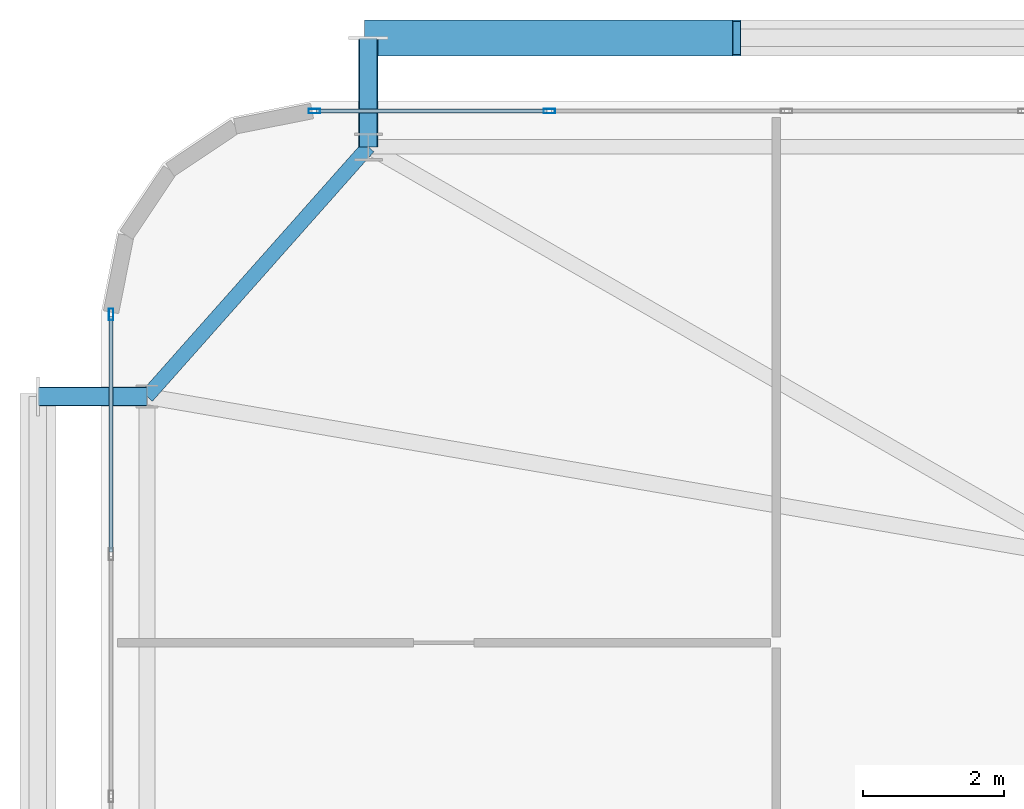
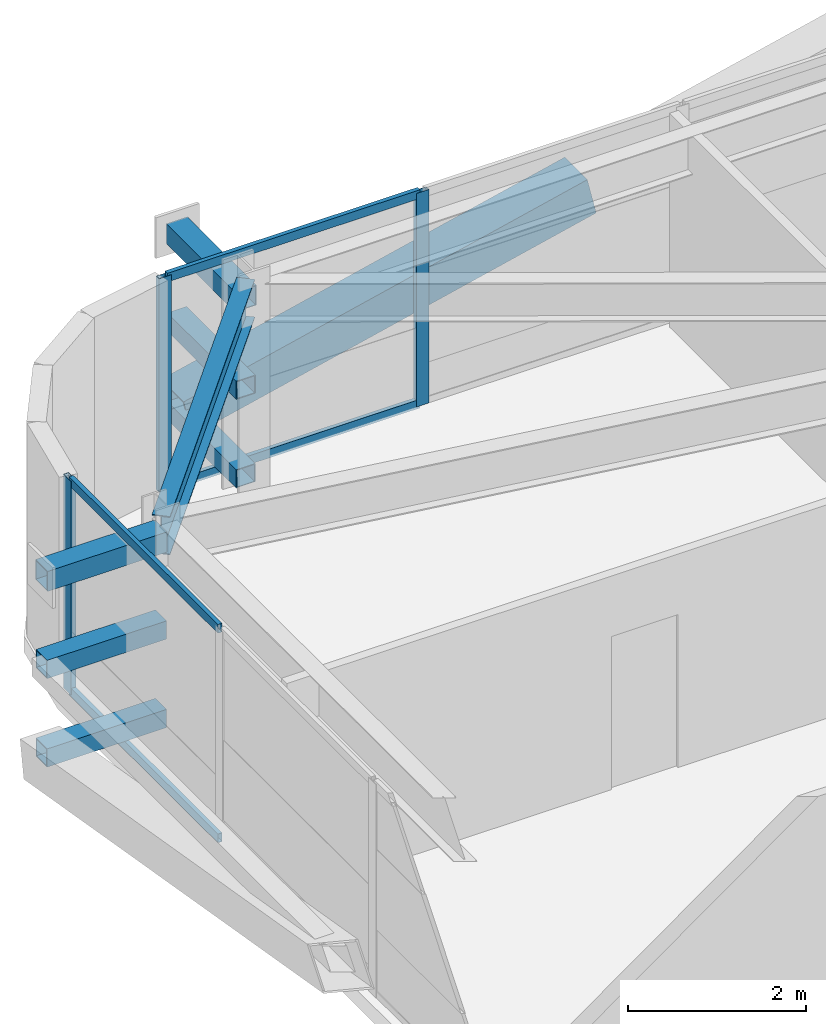
# One storey, part 33 of 58: 14 members, 1 beam, 2 elements without a shape of their own.
"""IFC4 building model written with IfcOpenShell, lengths in metres."""

from ifc_helpers import new_model, si_unit, direction, frame, origin, origin_2d, place, context, subcontext, project, spatial, hollow_rectangle, i_section, extrude, source, transform, mapped, material, layer, layer_set, material_profile, profile_set, type_object, element, aggregate, save


model = new_model("IFC4")

# Units and contexts
model_context = context("Model", 3, precision=1e-05, world=origin(), true_north=direction((0.0, 1.0)))
body_context = subcontext(model_context, "Body", "Model", "MODEL_VIEW")
ifc_project = project(units=[si_unit("LENGTHUNIT", "METRE"), si_unit("AREAUNIT", "SQUARE_METRE"), si_unit("VOLUMEUNIT", "CUBIC_METRE"), si_unit("PLANEANGLEUNIT", "RADIAN"), si_unit("MASSUNIT", "GRAM", prefix="KILO")], contexts=[model_context])

# Site, building, storey
site_placement = place(None, origin())
site = spatial("IfcSite", under=ifc_project, at=site_placement, CompositionType="ELEMENT")
building_placement = place(site_placement, origin())
building = spatial("IfcBuilding", under=site, at=building_placement, Name="Taldren Reach Tower", CompositionType="ELEMENT")
storey_placement = place(building_placement, frame((0.0, 0.0, 35.699951171875)))
storey = spatial("IfcBuildingStorey", under=building, at=storey_placement, Name="L10", CompositionType="ELEMENT", Elevation=35.699951171875)

# Beam
ifc_material_1 = material(Name="Steel Gr 350 (350PLUS)", Category="steel")
ifc_material_profile_1 = material_profile(ifc_material_1, i_section(OverallWidth=0.208984375, OverallDepth=0.528076171875, WebThickness=0.009521484375, FlangeThickness=0.01318359375, at=origin_2d()), Name="530UB82.0")
ifc_profile_set_1 = profile_set([ifc_material_profile_1], Name="Steel Gr 350 (350PLUS)")
beam_type = type_object("IfcBeamType", Name="SP-UB530B", PredefinedType="SPANDREL", material=ifc_profile_set_1)
shared_shape_1 = source(origin(), body_context, "Body", "SweptSolid", [
    extrude(i_section(OverallWidth=0.208984375, OverallDepth=0.528076171875, WebThickness=0.009521484375, FlangeThickness=0.01318359375, at=origin_2d()), origin(), (0.0, 0.0, 1.0), 4.74609375),
])
beam_placement = place(storey_placement, frame((8.800048828125, 37.85009765625, 2.666015625), z_axis=(-0.663721843779, -0.747979487747, 0.0), x_axis=(0.747979487747, -0.663721843779, 0.0)))
element("IfcBeam", 1, at=beam_placement, inside=storey, type_object=beam_type, Name="Perimeter spandrel B1 N1-W3 L10", PredefinedType="SPANDREL", context=body_context, shape_type="MappedRepresentation", body=[
    mapped(shared_shape_1, transform((0.0, 0.0, 0.0), scale=1.0)),
])

# Members
ifc_material_2 = material(Name="Steel Gr 450 (C450L0)", Category="steel")
ifc_material_profile_2 = material_profile(ifc_material_2, hollow_rectangle(XDim=0.27490234375, YDim=0.27490234375, WallThickness=0.00927734375, at=origin_2d()), Name="275x275x9.3SHS")
ifc_profile_set_2 = profile_set([ifc_material_profile_2], Name="Steel Gr 450 (C450L0)")
member_type_1 = type_object("IfcMemberType", Name="MB-TIE273", PredefinedType="STRUT", material=ifc_profile_set_2)
shared_shape_2 = source(origin(), body_context, "Body", "SweptSolid", [
    extrude(hollow_rectangle(XDim=0.27490234375, YDim=0.27490234375, WallThickness=0.00927734375, at=origin_2d()), origin(), (0.0, 0.0, 1.0), 1.5498046875),
])
for number, where, z_axis, x_axis, name in (
    (2, (8.800048828125, 37.85009765625, 2.650146484375), (0.0, 1.0, 0.0), (-1.0, 0.0, 0.0), "Exoskeleton diaphragm tie strut B1-N1 L10"),
    (3, (5.64990234375, 34.300048828125, 2.650146484375), (-1.0, 0.0, 0.0), (0.0, -1.0, 0.0), "Exoskeleton diaphragm tie strut B1-W3 L10"),
):
    element("IfcMember", number, at=place(storey_placement, frame(where, z_axis=z_axis, x_axis=x_axis)), inside=storey, type_object=member_type_1, Name=name, PredefinedType="STRUT", context=body_context, shape_type="MappedRepresentation", body=[
        mapped(shared_shape_2, transform((0.0, 0.0, 0.0), scale=1.0)),
    ])
ifc_material_profile_3 = material_profile(ifc_material_2, hollow_rectangle(XDim=0.510009765625, YDim=0.510009765625, WallThickness=0.02001953125, at=origin_2d()), Name="510x510x20.0SHS")
ifc_profile_set_3 = profile_set([ifc_material_profile_3], Name="Steel Gr 450 (C450L0)")
member_type_2 = type_object("IfcMemberType", Name="MB-EXO508", PredefinedType="BRACE", material=ifc_profile_set_3)
shared_shape_3 = source(origin(), body_context, "Body", "SweptSolid", [
    extrude(hollow_rectangle(XDim=0.510009765625, YDim=0.510009765625, WallThickness=0.02001953125, at=origin_2d()), origin(), (0.0, 0.0, 1.0), 5.37890625),
])
member_1_placement = place(storey_placement, frame((8.800048828125, 39.39990234375, 0.219970703125), z_axis=(0.97415197996, 0.0, 0.225893603143), x_axis=(0.0, 1.0, 0.0)))
element("IfcMember", 4, at=member_1_placement, inside=storey, type_object=member_type_2, Name="Exoskeleton Diagrid Brace B1-N1 L10", PredefinedType="BRACE", context=body_context, shape_type="MappedRepresentation", body=[
    mapped(shared_shape_3, transform((0.0, 0.0, 0.0), scale=1.0)),
])
ifc_material_3 = material(Name="Steel Gr 350 (C350L0)", Category="steel")
ifc_material_profile_4 = material_profile(ifc_material_3, hollow_rectangle(XDim=0.25, YDim=0.25, WallThickness=0.010009765625, at=origin_2d()), Name="250x250x10.0SHS")
ifc_profile_set_4 = profile_set([ifc_material_profile_4], Name="Steel Gr 350 (C350L0)")
member_type_3 = type_object("IfcMemberType", Name="MB-POST250", PredefinedType="POST", material=ifc_profile_set_4)
shared_shape_4 = source(origin(), body_context, "Body", "SweptSolid", [
    extrude(hollow_rectangle(XDim=0.25, YDim=0.25, WallThickness=0.010009765625, at=origin_2d()), origin(), (0.0, 0.0, 1.0), 1.5498046875),
])
for number, where, z_axis, x_axis, name in (
    (5, (8.800048828125, 37.85009765625, 0.219970703125), (0.0, 1.0, 0.0), (-1.0, 0.0, 0.0), "Exoskeleton base diaphragm tie strut B1-N1 L10"),
    (6, (5.64990234375, 34.300048828125, 0.219970703125), (-1.0, 0.0, 0.0), (0.0, -1.0, 0.0), "Exoskeleton base diaphragm tie strut B1-W3 L10"),
    (7, (8.800048828125, 37.85009765625, 1.43505859375), (0.0, 1.0, 0.0), (-1.0, 0.0, 0.0), "Exoskeleton mid-tier diaphragm tie B1-N1 L10"),
    (8, (5.64990234375, 34.300048828125, 1.43505859375), (-1.0, 0.0, 0.0), (0.0, -1.0, 0.0), "Exoskeleton mid-tier diaphragm tie B1-W3 L10"),
):
    element("IfcMember", number, at=place(storey_placement, frame(where, z_axis=z_axis, x_axis=x_axis)), inside=storey, type_object=member_type_3, Name=name, PredefinedType="POST", context=body_context, shape_type="MappedRepresentation", body=[
        mapped(shared_shape_4, transform((0.0, 0.0, 0.0), scale=1.0)),
    ])

# Curtain wall, members
ifc_material_4 = material(Name="Aluminium and Low-E Glass Unitised System", Category="aluminium")
ifc_layer = layer(ifc_material_4, 0.159912109375)
ifc_layer_set = layer_set([ifc_layer], Name="Aluminium and Low-E Glass Unitised System")
curtain_wall_type = type_object("IfcCurtainWallType", Name="CW-SYS-2", PredefinedType="NOTDEFINED", material=ifc_layer_set)
curtain_wall_1_placement = place(storey_placement, origin())
curtain_wall_1 = element("IfcCurtainWall", 9, at=curtain_wall_1_placement, inside=storey, type_object=curtain_wall_type, Name="Unitised curtain wall CW-L10-N", PredefinedType="NOTDEFINED")
ifc_material_5 = material(Name="Anodised Aluminium 6063-T6", Category="aluminium")
ifc_material_profile_5 = material_profile(ifc_material_5, hollow_rectangle(XDim=0.06494140625, YDim=0.1650390625, WallThickness=0.00390625, at=origin_2d()), Name="ALU-165x65x4RHS")
ifc_profile_set_5 = profile_set([ifc_material_profile_5], Name="Anodised Aluminium 6063-T6")
member_type_4 = type_object("IfcMemberType", Name="CW-MUL-165", PredefinedType="MULLION", material=ifc_profile_set_5)
shared_shape_5 = source(origin(), body_context, "Body", "SweptSolid", [
    extrude(hollow_rectangle(XDim=0.06494140625, YDim=0.1650390625, WallThickness=0.00390625, at=origin_2d()), origin(), (0.0, 0.0, 1.0), 2.929931640625),
])
member_2_placement = place(storey_placement, frame((11.375, 38.360107421875, 0.0), z_axis=(0.0, 0.0, 1.0), x_axis=(0.0, -1.0, 0.0)))
member_2 = element("IfcMember", 10, at=member_2_placement, type_object=member_type_4, Name="CW-2 mullion 16", PredefinedType="MULLION", context=body_context, shape_type="MappedRepresentation", body=[
    mapped(shared_shape_5, transform((0.0, 0.0, 0.0), scale=1.0)),
])
member_3_placement = place(storey_placement, frame((8.032470703125, 38.360107421875, 0.0), z_axis=(0.0, 0.0, 1.0), x_axis=(0.0, -1.0, 0.0)))
member_3 = element("IfcMember", 11, at=member_3_placement, type_object=member_type_4, Name="CW-2 mullion 17", PredefinedType="MULLION", context=body_context, shape_type="MappedRepresentation", body=[
    mapped(shared_shape_5, transform((0.0, 0.0, 0.0), scale=1.0)),
])

# Curtain wall, member
curtain_wall_2_placement = place(storey_placement, origin())
curtain_wall_2 = element("IfcCurtainWall", 12, at=curtain_wall_2_placement, inside=storey, type_object=curtain_wall_type, Name="Unitised curtain wall CW-L10-W", PredefinedType="NOTDEFINED")
member_4_placement = place(storey_placement, frame((5.139892578125, 35.467529296875, 0.0), z_axis=(0.0, 0.0, 1.0), x_axis=(1.0, 0.0, 0.0)))
member_4 = element("IfcMember", 13, at=member_4_placement, type_object=member_type_4, Name="CW-2 mullion 1", PredefinedType="MULLION", context=body_context, shape_type="MappedRepresentation", body=[
    mapped(shared_shape_5, transform((0.0, 0.0, 0.0), scale=1.0)),
])

# Member
ifc_material_profile_6 = material_profile(ifc_material_5, hollow_rectangle(XDim=0.054931640625, YDim=0.1201171875, WallThickness=0.0029296875, at=origin_2d()), Name="ALU-120x55x3RHS")
ifc_profile_set_6 = profile_set([ifc_material_profile_6], Name="Anodised Aluminium 6063-T6")
member_type_5 = type_object("IfcMemberType", Name="CW-TRN-135", PredefinedType="USERDEFINED", material=ifc_profile_set_6)
shared_shape_6 = source(origin(), body_context, "Body", "SweptSolid", [
    extrude(hollow_rectangle(XDim=0.054931640625, YDim=0.1201171875, WallThickness=0.0029296875, at=origin_2d()), origin(), (0.0, 0.0, 1.0), 3.277587890625),
])
member_5_placement = place(storey_placement, frame((11.342529296875, 38.360107421875, 0.027587890625), z_axis=(-1.0, 0.0, 0.0), x_axis=(0.0, -1.0, 0.0)))
member_5 = element("IfcMember", 14, at=member_5_placement, type_object=member_type_5, Name="CW-2 transom 16.1", ObjectType="TRANSOM", PredefinedType="USERDEFINED", context=body_context, shape_type="MappedRepresentation", body=[
    mapped(shared_shape_6, transform((0.0, 0.0, 0.0), scale=1.0)),
])

member_6_placement = place(storey_placement, frame((11.342529296875, 38.360107421875, 2.902587890625), z_axis=(-1.0, 0.0, 0.0), x_axis=(0.0, -1.0, 0.0)))
member_6 = element("IfcMember", 15, at=member_6_placement, type_object=member_type_5, Name="CW-2 transom 16.2", ObjectType="TRANSOM", PredefinedType="USERDEFINED", context=body_context, shape_type="MappedRepresentation", body=[
    mapped(shared_shape_6, transform((0.0, 0.0, 0.0), scale=1.0)),
])

aggregate(curtain_wall_1, [member_2, member_3, member_5, member_6])

shared_shape_7 = source(origin(), body_context, "Body", "SweptSolid", [
    extrude(hollow_rectangle(XDim=0.054931640625, YDim=0.1201171875, WallThickness=0.0029296875, at=origin_2d()), origin(), (0.0, 0.0, 1.0), 3.346923828125),
])
member_7_placement = place(storey_placement, frame((5.139892578125, 35.43505859375, 0.027587890625), z_axis=(0.0, -1.0, 0.0), x_axis=(1.0, 0.0, 0.0)))
member_7 = element("IfcMember", 16, at=member_7_placement, type_object=member_type_5, Name="CW-2 transom 1.1", ObjectType="TRANSOM", PredefinedType="USERDEFINED", context=body_context, shape_type="MappedRepresentation", body=[
    mapped(shared_shape_7, transform((0.0, 0.0, 0.0), scale=1.0)),
])

member_8_placement = place(storey_placement, frame((5.139892578125, 35.43505859375, 2.902587890625), z_axis=(0.0, -1.0, 0.0), x_axis=(1.0, 0.0, 0.0)))
member_8 = element("IfcMember", 17, at=member_8_placement, type_object=member_type_5, Name="CW-2 transom 1.2", ObjectType="TRANSOM", PredefinedType="USERDEFINED", context=body_context, shape_type="MappedRepresentation", body=[
    mapped(shared_shape_7, transform((0.0, 0.0, 0.0), scale=1.0)),
])

aggregate(curtain_wall_2, [member_4, member_7, member_8])

save(model, "model.ifc")
